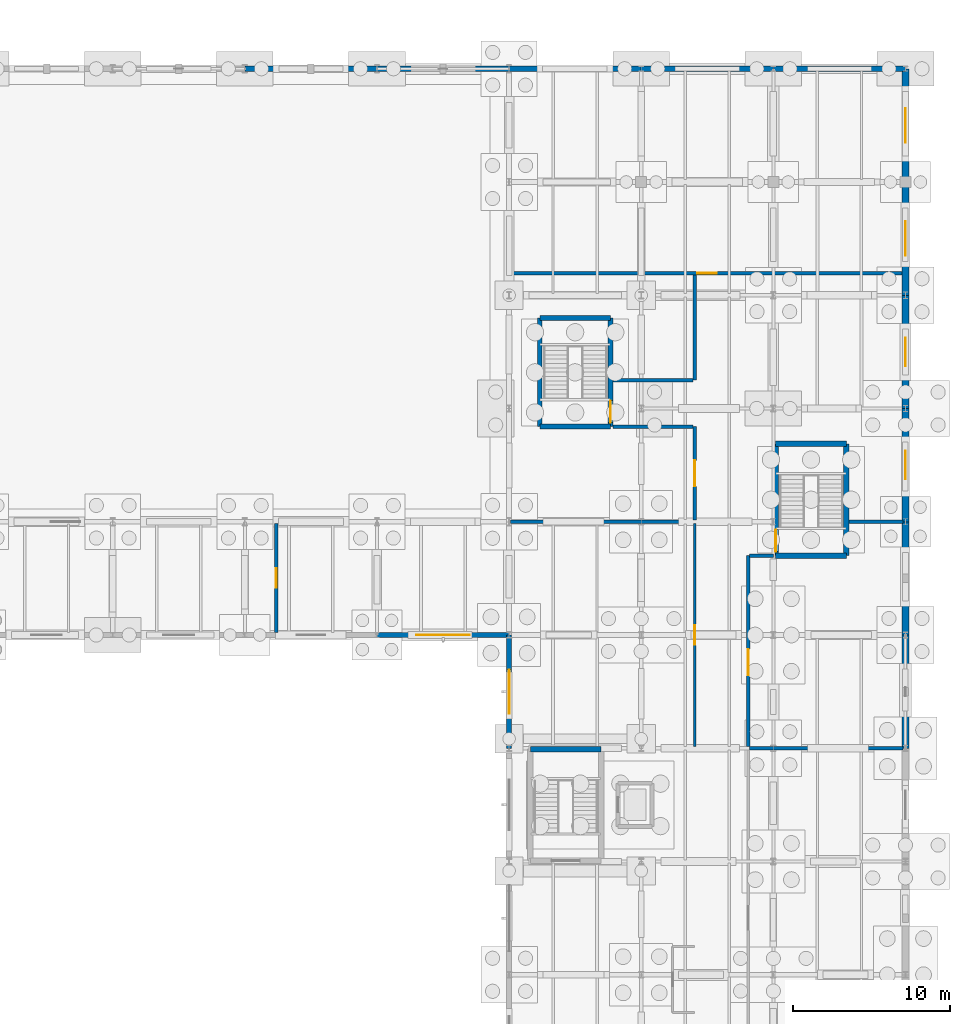
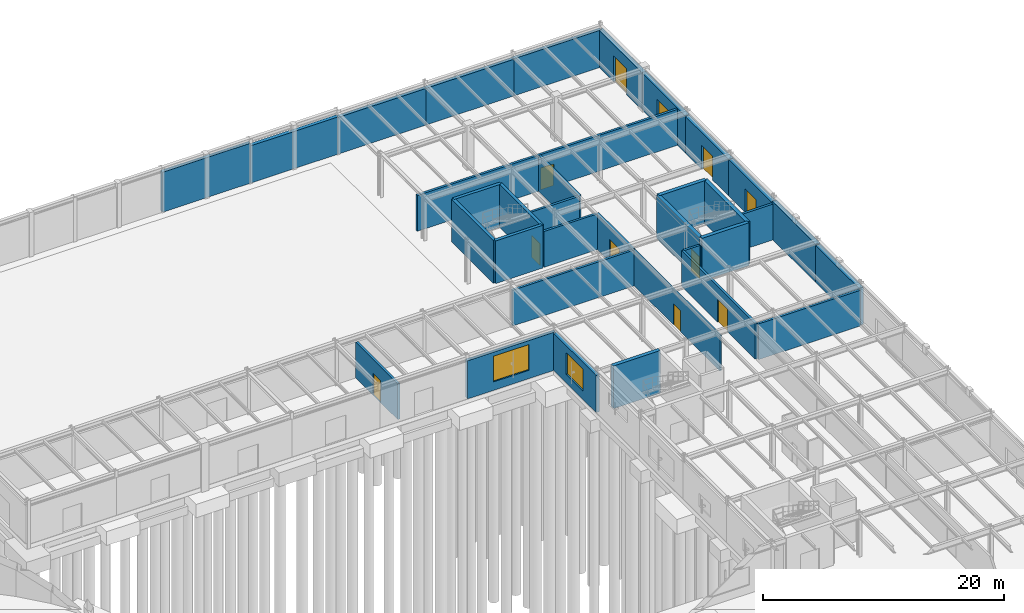
# One storey, part 65 of 93: 34 walls, 11 doors, 2 windows, 13 openings.
"""IFC4 building model written with IfcOpenShell, lengths in metres."""

import ifcopenshell
import ifcopenshell.guid

model = None  # the IFC model being written
_history = None  # IfcOwnerHistory: only IFC2X3 demands one
_inside = {}  # id of a spatial element -> (the spatial element, [elements in it])
_under = {}  # id of a project, library or spatial element -> (it, [spatial elements below it])
_declared = {}  # id of a project -> (the project, [libraries it declares])
_typed = {}  # id of a type object -> (the type object, [elements of that type])
_made_of = {}  # id of a material, layer set ... -> (it, [elements and type objects made of it])


def new_model(schema):
    """Start an empty IFC model of exactly this schema.

    Asked for "IFC4X3", IfcOpenShell would pick the latest addendum, in which some entities
    have other attributes; the version numbers below select the first issue.
    IFC2X3 requires an IfcOwnerHistory on every rooted entity: one is made here for all.
    """
    global model, _history
    if schema == "IFC4X3":
        model = ifcopenshell.file(schema_version=(4, 3, 0, 0))
    else:
        model = ifcopenshell.file(schema=schema)
    _inside.clear()
    _under.clear()
    _declared.clear()
    _typed.clear()
    _made_of.clear()
    _history = None
    if model.schema == "IFC2X3":
        org = make("IfcOrganization", Name="unknown")
        user = make(
            "IfcPersonAndOrganization",
            ThePerson=make("IfcPerson", FamilyName="unknown"),
            TheOrganization=org,
        )
        app = make(
            "IfcApplication",
            ApplicationDeveloper=org,
            Version="unknown",
            ApplicationFullName="unknown",
            ApplicationIdentifier="unknown",
        )
        _history = make(
            "IfcOwnerHistory",
            OwningUser=user,
            OwningApplication=app,
            ChangeAction="ADDED",
            CreationDate=0,
        )
    return model


def make(cls, **values):
    """One entity of the class cls with the attributes given. An attribute that is None is left unset."""
    return model.create_entity(
        cls, **{name: value for name, value in values.items() if value is not None}
    )


def rooted(cls, **values):
    """An entity with a GlobalId (a new one), such as an element, a storey or a relation."""
    return make(cls, GlobalId=ifcopenshell.guid.new(), OwnerHistory=_history, **values)


def si_unit(unit_type, name, prefix=None):
    """IfcSIUnit, for example si_unit("LENGTHUNIT", "METRE", prefix="MILLI")."""
    return make("IfcSIUnit", UnitType=unit_type, Prefix=prefix, Name=name)


def derived_unit(unit_type, elements):
    """IfcDerivedUnit: a product of units, each with its exponent."""
    return make(
        "IfcDerivedUnit",
        Elements=[
            make("IfcDerivedUnitElement", Unit=unit, Exponent=power)
            for unit, power in elements
        ],
        UnitType=unit_type,
    )


def assignment(units):
    """IfcUnitAssignment: the units of a project."""
    return None if units is None else make("IfcUnitAssignment", Units=units)


def point(xyz):
    """IfcCartesianPoint."""
    return None if xyz is None else make("IfcCartesianPoint", Coordinates=xyz)


def direction(xyz):
    """IfcDirection."""
    return None if xyz is None else make("IfcDirection", DirectionRatios=xyz)


def frame(location, z_axis=None, x_axis=None):
    """IfcAxis2Placement3D, a coordinate frame: its origin and axes. An axis left out is left unset."""
    return make(
        "IfcAxis2Placement3D",
        Location=point(location),
        Axis=direction(z_axis),
        RefDirection=direction(x_axis),
    )


def frame_2d(location, x_axis=None):
    """IfcAxis2Placement2D, a coordinate frame in the plane: its origin and x axis."""
    return make(
        "IfcAxis2Placement2D", Location=point(location), RefDirection=direction(x_axis)
    )


def origin():
    """The frame at (0, 0, 0) with its axes left unset."""
    return frame((0.0, 0.0, 0.0))


def place(relative_to, where):
    """IfcLocalPlacement: puts the frame where relative to a parent placement (None: the world)."""
    return make(
        "IfcLocalPlacement", PlacementRelTo=relative_to, RelativePlacement=where
    )


def context(
    kind, dimensions, precision=None, world=None, true_north=None, identifier=None
):
    """IfcGeometricRepresentationContext, for example the 3D "Model" context."""
    return make(
        "IfcGeometricRepresentationContext",
        ContextIdentifier=identifier,
        ContextType=kind,
        CoordinateSpaceDimension=dimensions,
        Precision=precision,
        WorldCoordinateSystem=world,
        TrueNorth=true_north,
    )


def subcontext(parent, identifier, kind, view, scale=None):
    """IfcGeometricRepresentationSubContext, for example "Body" below "Model"."""
    return make(
        "IfcGeometricRepresentationSubContext",
        ContextIdentifier=identifier,
        ContextType=kind,
        ParentContext=parent,
        TargetScale=scale,
        TargetView=view,
    )


def project(units=None, contexts=None):
    """IfcProject with its units and contexts."""
    return rooted(
        "IfcProject",
        Name="project",
        RepresentationContexts=contexts,
        UnitsInContext=assignment(units),
    )


def spatial(cls, under=None, at=None, **own):
    """A site, building, storey or space (cls), placed at a placement, below another one or the project."""
    s = rooted(cls, ObjectPlacement=at, **own)
    if under is not None:
        _under.setdefault(under.id(), (under, []))[1].append(s)
    return s


def profile(cls, at=None, kind="AREA", **sizes):
    """A parametric profile (cls). Its sizes go by their IFC names, for example OverallWidth=200.0."""
    return make(cls, ProfileType=kind, Position=at, **sizes)


def rectangle(**sizes):
    """IfcRectangleProfileDef."""
    return profile("IfcRectangleProfileDef", **sizes)


def extrude(swept, where, along, depth):
    """IfcExtrudedAreaSolid: the profile swept, set in the frame where, extruded along a direction by depth."""
    return make(
        "IfcExtrudedAreaSolid",
        SweptArea=swept,
        Position=where,
        ExtrudedDirection=direction(along),
        Depth=depth,
    )


def shape(context_of_items, identifier, shape_type, items):
    """IfcShapeRepresentation: the items that make up one representation, for example the "Body"."""
    return make(
        "IfcShapeRepresentation",
        ContextOfItems=context_of_items,
        RepresentationIdentifier=identifier,
        RepresentationType=shape_type,
        Items=items,
    )


def material(Name=None, Category=None):
    """IfcMaterial."""
    return make("IfcMaterial", Name=Name, Category=Category)


def layer(
    of_material, thickness, ventilated=None, Name=None, Category=None, Priority=None
):
    """IfcMaterialLayer: one layer of a wall or slab, of a material (None: an air gap)."""
    return make(
        "IfcMaterialLayer",
        Material=of_material,
        LayerThickness=thickness,
        IsVentilated=ventilated,
        Name=Name,
        Category=Category,
        Priority=Priority,
    )


def layer_set(layers, Name=None):
    """IfcMaterialLayerSet."""
    return make("IfcMaterialLayerSet", MaterialLayers=layers, LayerSetName=Name)


def made_of(thing, what):
    """Note that an element or type object is made of a material, layer set ...; save() writes the relation."""
    if what is not None:
        _made_of.setdefault(what.id(), (what, []))[1].append(thing)
    return thing


def type_object(cls, material=None, **own):
    """A type object (cls), such as IfcWallType, which elements share."""
    return made_of(rooted(cls, **own), material)


def element(
    cls,
    number,
    at=None,
    inside=None,
    cuts=None,
    type_object=None,
    material=None,
    context=None,
    identifier="Body",
    shape_type=None,
    held_by="IfcProductDefinitionShape",
    body=None,
    shapes=None,
    **own,
):
    """One element of the class cls, such as IfcWall. Its Tag is "e" and its number.

    at: its placement. inside: the storey or other place that contains it. cuts: it is an
    opening in that element (IfcRelVoidsElement). A single representation is given by context,
    identifier, shape_type and body (its items); several are given by shapes. held_by: the class
    of the entity that holds the representations. save() writes the other relations.
    """
    e = rooted(cls, Tag="e%d" % number, ObjectPlacement=at, **own)
    if body is not None:
        shapes = [shape(context, identifier, shape_type, body)]
    if shapes is not None:
        e.Representation = make(held_by, Representations=shapes)
    if inside is not None:
        _inside.setdefault(inside.id(), (inside, []))[1].append(e)
    if cuts is not None:
        rooted(
            "IfcRelVoidsElement", RelatingBuildingElement=cuts, RelatedOpeningElement=e
        )
    if type_object is not None:
        _typed.setdefault(type_object.id(), (type_object, []))[1].append(e)
    return made_of(e, material)


def fill(opening, filler):
    """IfcRelFillsElement: the door or window that sits in an opening."""
    return rooted(
        "IfcRelFillsElement",
        RelatingOpeningElement=opening,
        RelatedBuildingElement=filler,
    )


def aggregate(whole, parts):
    """IfcRelAggregates: a whole, such as a stair, and the parts it consists of."""
    return rooted("IfcRelAggregates", RelatingObject=whole, RelatedObjects=parts)


def save(model, path):
    """Write the relations noted so far, then the file.

    IfcRelAggregates (storeys below a building ...), IfcRelContainedInSpatialStructure (elements
    in a storey), IfcRelDefinesByType, IfcRelAssociatesMaterial and IfcRelDeclares: one each for
    every whole, place, type object, material and project.
    """
    for whole, parts in _under.values():
        aggregate(whole, parts)
    for where, things in _inside.values():
        rooted(
            "IfcRelContainedInSpatialStructure",
            RelatedElements=things,
            RelatingStructure=where,
        )
    for kind, things in _typed.values():
        rooted("IfcRelDefinesByType", RelatedObjects=things, RelatingType=kind)
    for what, things in _made_of.values():
        rooted("IfcRelAssociatesMaterial", RelatedObjects=things, RelatingMaterial=what)
    for by, libraries in _declared.values():
        rooted("IfcRelDeclares", RelatingContext=by, RelatedDefinitions=libraries)
    model.write(path)


model = new_model("IFC4")

# Units and contexts
model_context = context("Model", 3, precision=1e-05, world=origin(), true_north=direction((0.0, 1.0)))
body_context = subcontext(model_context, "Body", "Model", "MODEL_VIEW")
ifc_project = project(units=[si_unit("LENGTHUNIT", "METRE"), si_unit("AREAUNIT", "SQUARE_METRE"), si_unit("VOLUMEUNIT", "CUBIC_METRE"), si_unit("PLANEANGLEUNIT", "RADIAN"), si_unit("MASSUNIT", "GRAM", prefix="KILO"), derived_unit("THERMALTRANSMITTANCEUNIT", [(si_unit("MASSUNIT", "GRAM", prefix="KILO"), 1), (si_unit("TIMEUNIT", "SECOND"), -3), (si_unit("THERMODYNAMICTEMPERATUREUNIT", "KELVIN"), -1)])], contexts=[model_context])

# Site, building, storey
site_placement = place(None, origin())
site = spatial("IfcSite", under=ifc_project, at=site_placement, CompositionType="ELEMENT")
building_placement = place(site_placement, origin())
building = spatial("IfcBuilding", under=site, at=building_placement, Name="Kharveza Railside Sports Centre", CompositionType="ELEMENT")
storey_placement = place(building_placement, origin())
storey = spatial("IfcBuildingStorey", under=building, at=storey_placement, Name="L00", CompositionType="ELEMENT", Elevation=0.0)

# Walls
ifc_material_1 = material(Name="Acoustic mineral-wool metal cladding panel")
ifc_layer_1 = layer(ifc_material_1, 0.340087890625, Name="Acoustic mineral-wool metal cladding panel")
ifc_layer_set_1 = layer_set([ifc_layer_1], Name="Acoustic mineral-wool metal cladding panel")
wall_type_1 = type_object("IfcWallType", Name="WL-AC340", PredefinedType="STANDARD", material=ifc_layer_set_1)
wall_1_placement = place(storey_placement, frame((168.0, 108.0, 0.0), z_axis=(0.0, 0.0, 1.0), x_axis=(-1.0, 0.0, 0.0)))
element("IfcWall", 1, at=wall_1_placement, inside=storey, type_object=wall_type_1, Name="WL-EXT-L00-029", PredefinedType="STANDARD", context=body_context, shape_type="SweptSolid", body=[
    extrude(rectangle(XDim=8.39990234375, YDim=0.340087890625, at=frame_2d((4.199951171875, 0.0))), origin(), (0.0, 0.0, 1.0), 3.7548828125),
])
wall_2_placement = place(storey_placement, frame((159.60009765625, 108.0, 0.0), z_axis=(0.0, 0.0, 1.0), x_axis=(-1.0, 0.0, 0.0)))
element("IfcWall", 2, at=wall_2_placement, inside=storey, type_object=wall_type_1, Name="WL-EXT-L00-030", PredefinedType="STANDARD", context=body_context, shape_type="SweptSolid", body=[
    extrude(rectangle(XDim=8.400146484375, YDim=0.340087890625, at=frame_2d((4.2001953125, 0.0))), origin(), (0.0, 0.0, 1.0), 3.705078125),
])
wall_3_placement = place(storey_placement, frame((151.199951171875, 108.0, 0.0), z_axis=(0.0, 0.0, 1.0), x_axis=(-1.0, 0.0, 0.0)))
element("IfcWall", 3, at=wall_3_placement, inside=storey, type_object=wall_type_1, Name="WL-EXT-L00-031", PredefinedType="STANDARD", context=body_context, shape_type="SweptSolid", body=[
    extrude(rectangle(XDim=8.39990234375, YDim=0.340087890625, at=frame_2d((4.199951171875, 0.0))), origin(), (0.0, 0.0, 1.0), 3.705078125),
])
wall_4_placement = place(storey_placement, frame((142.800048828125, 108.0, 0.0), z_axis=(0.0, 0.0, 1.0), x_axis=(-1.0, 0.0, 0.0)))
element("IfcWall", 4, at=wall_4_placement, inside=storey, type_object=wall_type_1, Name="WL-EXT-L00-032", PredefinedType="STANDARD", context=body_context, shape_type="SweptSolid", body=[
    extrude(rectangle(XDim=8.400146484375, YDim=0.340087890625, at=frame_2d((4.2001953125, 0.0))), origin(), (0.0, 0.0, 1.0), 3.764892578125),
])
wall_5_placement = place(storey_placement, frame((134.39990234375, 108.0, 0.0), z_axis=(0.0, 0.0, 1.0), x_axis=(-1.0, 0.0, 0.0)))
element("IfcWall", 5, at=wall_5_placement, inside=storey, type_object=wall_type_1, Name="WL-EXT-L00-033", PredefinedType="STANDARD", context=body_context, shape_type="SweptSolid", body=[
    extrude(rectangle(XDim=8.39990234375, YDim=0.340087890625, at=frame_2d((4.199951171875, 0.0))), origin(), (0.0, 0.0, 1.0), 4.044921875),
])
ifc_material_2 = material(Name="Precast concrete C40/50", Category="concrete")
ifc_layer_2 = layer(ifc_material_2, 0.419921875, Name="Precast concrete C40/50")
ifc_layer_set_2 = layer_set([ifc_layer_2], Name="Precast concrete C40/50")
wall_type_2 = type_object("IfcWallType", Name="WL-BM420", PredefinedType="SOLIDWALL", material=ifc_layer_set_2)
wall_6_placement = place(storey_placement, frame((168.0, 64.800048828125, 0.0), z_axis=(0.0, 0.0, 1.0), x_axis=(0.0, 1.0, 0.0)))
element("IfcWall", 6, at=wall_6_placement, inside=storey, type_object=wall_type_2, Name="WL-EXT-L00-023", PredefinedType="SOLIDWALL", context=body_context, shape_type="SweptSolid", body=[
    extrude(rectangle(XDim=7.199951171875, YDim=0.419921875, at=frame_2d((3.60009765625, 0.0))), origin(), (0.0, 0.0, 1.0), 3.7548828125),
])
wall_7_placement = place(storey_placement, frame((168.0, 72.0, 0.0), z_axis=(0.0, 0.0, 1.0), x_axis=(0.0, 1.0, 0.0)))
element("IfcWall", 7, at=wall_7_placement, inside=storey, type_object=wall_type_2, Name="WL-EXT-L00-024", PredefinedType="SOLIDWALL", context=body_context, shape_type="SweptSolid", body=[
    extrude(rectangle(XDim=7.199951171875, YDim=0.419921875, at=frame_2d((3.60009765625, 0.0))), origin(), (0.0, 0.0, 1.0), 3.85498046875),
])

# Wall, opening, door
wall_8_placement = place(storey_placement, frame((168.0, 79.199951171875, 0.0), z_axis=(0.0, 0.0, 1.0), x_axis=(0.0, 1.0, 0.0)))
wall_8 = element("IfcWall", 8, at=wall_8_placement, inside=storey, type_object=wall_type_2, Name="WL-EXT-L00-025", PredefinedType="SOLIDWALL", context=body_context, shape_type="SweptSolid", body=[
    extrude(rectangle(XDim=7.199951171875, YDim=0.419921875, at=frame_2d((3.60009765625, 0.0))), origin(), (0.0, 0.0, 1.0), 3.705078125),
])
opening_1_placement = place(wall_8_placement, frame((2.699951171875, 0.0, 0.0)))
opening_1 = element("IfcOpeningElement", 9, at=opening_1_placement, cuts=wall_8, Name="Opening D03", PredefinedType="OPENING", context=body_context, shape_type="SweptSolid", body=[
    extrude(rectangle(XDim=1.800048828125, YDim=2.39990234375, at=frame_2d((0.89990234375, 1.199951171875))), frame((0.0, 0.23486328125, 0.0), z_axis=(0.0, -1.0, 0.0), x_axis=(1.0, 0.0, 0.0)), (0.0, 0.0, 1.0), 0.4697265625),
])
ifc_material_3 = material(Name="Anodised aluminium 6063-T6", Category="aluminium")
door_type_1 = type_object("IfcDoorType", Name="DR-EX03", OperationType="NOTDEFINED", PredefinedType="DOOR", material=ifc_material_3)
door_1_placement = place(opening_1_placement, frame((1.800048828125, 0.0, 0.0), z_axis=(0.0, 0.0, 1.0), x_axis=(-1.0, 0.0, 0.0)))
door_1 = element("IfcDoor", 10, at=door_1_placement, inside=storey, type_object=door_type_1, Name="DR-L00-EX-011", OperationType="DOUBLE_DOOR_SINGLE_SWING", OverallHeight=2.39990234375, OverallWidth=1.800048828125, PredefinedType="DOOR", context=body_context, shape_type="SweptSolid", body=[
    extrude(rectangle(XDim=1.800048828125, YDim=2.39990234375, at=frame_2d((0.89990234375, 1.199951171875))), frame((0.0, 0.02490234375, 0.0), z_axis=(0.0, -1.0, 0.0), x_axis=(1.0, 0.0, 0.0)), (0.0, 0.0, 1.0), 0.050048828125),
])
fill(opening_1, door_1)

wall_9_placement = place(storey_placement, frame((168.0, 86.39990234375, 0.0), z_axis=(0.0, 0.0, 1.0), x_axis=(0.0, 1.0, 0.0)))
wall_9 = element("IfcWall", 11, at=wall_9_placement, inside=storey, type_object=wall_type_2, Name="WL-EXT-L00-026", PredefinedType="SOLIDWALL", context=body_context, shape_type="SweptSolid", body=[
    extrude(rectangle(XDim=7.2001953125, YDim=0.419921875, at=frame_2d((3.60009765625, 0.0))), origin(), (0.0, 0.0, 1.0), 3.705078125),
])
opening_2_placement = place(wall_9_placement, frame((2.699951171875, 0.0, 0.0)))
opening_2 = element("IfcOpeningElement", 12, at=opening_2_placement, cuts=wall_9, Name="Opening D03", PredefinedType="OPENING", context=body_context, shape_type="SweptSolid", body=[
    extrude(rectangle(XDim=1.800048828125, YDim=2.39990234375, at=frame_2d((0.89990234375, 1.199951171875))), frame((0.0, 0.23486328125, 0.0), z_axis=(0.0, -1.0, 0.0), x_axis=(1.0, 0.0, 0.0)), (0.0, 0.0, 1.0), 0.4697265625),
])
door_2_placement = place(opening_2_placement, frame((1.800048828125, 0.0, 0.0), z_axis=(0.0, 0.0, 1.0), x_axis=(-1.0, 0.0, 0.0)))
door_2 = element("IfcDoor", 13, at=door_2_placement, inside=storey, type_object=door_type_1, Name="DR-L00-EX-012", OperationType="DOUBLE_DOOR_SINGLE_SWING", OverallHeight=2.39990234375, OverallWidth=1.800048828125, PredefinedType="DOOR", context=body_context, shape_type="SweptSolid", body=[
    extrude(rectangle(XDim=1.800048828125, YDim=2.39990234375, at=frame_2d((0.89990234375, 1.199951171875))), frame((0.0, 0.02490234375, 0.0), z_axis=(0.0, -1.0, 0.0), x_axis=(1.0, 0.0, 0.0)), (0.0, 0.0, 1.0), 0.050048828125),
])
fill(opening_2, door_2)

wall_10_placement = place(storey_placement, frame((168.0, 93.60009765625, 0.0), z_axis=(0.0, 0.0, 1.0), x_axis=(0.0, 1.0, 0.0)))
wall_10 = element("IfcWall", 14, at=wall_10_placement, inside=storey, type_object=wall_type_2, Name="WL-EXT-L00-027", PredefinedType="SOLIDWALL", context=body_context, shape_type="SweptSolid", body=[
    extrude(rectangle(XDim=7.199951171875, YDim=0.419921875, at=frame_2d((3.60009765625, 0.0))), origin(), (0.0, 0.0, 1.0), 3.7548828125),
])
opening_3_placement = place(wall_10_placement, frame((2.5, 0.0, 0.0)))
opening_3 = element("IfcOpeningElement", 15, at=opening_3_placement, cuts=wall_10, Name="Opening D06", PredefinedType="OPENING", context=body_context, shape_type="SweptSolid", body=[
    extrude(rectangle(XDim=2.199951171875, YDim=2.60009765625, at=frame_2d((1.10009765625, 1.300048828125))), frame((0.0, 0.23486328125, 0.0), z_axis=(0.0, -1.0, 0.0), x_axis=(1.0, 0.0, 0.0)), (0.0, 0.0, 1.0), 0.4697265625),
])
door_type_2 = type_object("IfcDoorType", Name="DR-EX06", OperationType="NOTDEFINED", PredefinedType="DOOR", material=ifc_material_3)
door_3_placement = place(opening_3_placement, frame((2.199951171875, 0.0, 0.0), z_axis=(0.0, 0.0, 1.0), x_axis=(-1.0, 0.0, 0.0)))
door_3 = element("IfcDoor", 16, at=door_3_placement, inside=storey, type_object=door_type_2, Name="DR-L00-EX-013", OperationType="DOUBLE_DOOR_SINGLE_SWING", OverallHeight=2.60009765625, OverallWidth=2.199951171875, PredefinedType="DOOR", context=body_context, shape_type="SweptSolid", body=[
    extrude(rectangle(XDim=2.199951171875, YDim=2.60009765625, at=frame_2d((1.10009765625, 1.300048828125))), frame((0.0, 0.02490234375, 0.0), z_axis=(0.0, -1.0, 0.0), x_axis=(1.0, 0.0, 0.0)), (0.0, 0.0, 1.0), 0.050048828125),
])
fill(opening_3, door_3)

wall_11_placement = place(storey_placement, frame((168.0, 100.800048828125, 0.0), z_axis=(0.0, 0.0, 1.0), x_axis=(0.0, 1.0, 0.0)))
wall_11 = element("IfcWall", 17, at=wall_11_placement, inside=storey, type_object=wall_type_2, Name="WL-EXT-L00-028", PredefinedType="SOLIDWALL", context=body_context, shape_type="SweptSolid", body=[
    extrude(rectangle(XDim=7.199951171875, YDim=0.419921875, at=frame_2d((3.60009765625, 0.0))), origin(), (0.0, 0.0, 1.0), 3.7548828125),
])
opening_4_placement = place(wall_11_placement, frame((2.5, 0.0, 0.0)))
opening_4 = element("IfcOpeningElement", 18, at=opening_4_placement, cuts=wall_11, Name="Opening D06", PredefinedType="OPENING", context=body_context, shape_type="SweptSolid", body=[
    extrude(rectangle(XDim=2.199951171875, YDim=2.60009765625, at=frame_2d((1.10009765625, 1.300048828125))), frame((0.0, 0.23486328125, 0.0), z_axis=(0.0, -1.0, 0.0), x_axis=(1.0, 0.0, 0.0)), (0.0, 0.0, 1.0), 0.4697265625),
])
door_4_placement = place(opening_4_placement, frame((2.199951171875, 0.0, 0.0), z_axis=(0.0, 0.0, 1.0), x_axis=(-1.0, 0.0, 0.0)))
door_4 = element("IfcDoor", 19, at=door_4_placement, inside=storey, type_object=door_type_2, Name="DR-L00-EX-014", OperationType="DOUBLE_DOOR_SINGLE_SWING", OverallHeight=2.60009765625, OverallWidth=2.199951171875, PredefinedType="DOOR", context=body_context, shape_type="SweptSolid", body=[
    extrude(rectangle(XDim=2.199951171875, YDim=2.60009765625, at=frame_2d((1.10009765625, 1.300048828125))), frame((0.0, 0.02490234375, 0.0), z_axis=(0.0, -1.0, 0.0), x_axis=(1.0, 0.0, 0.0)), (0.0, 0.0, 1.0), 0.050048828125),
])
fill(opening_4, door_4)

# Wall
ifc_material_4 = material(Name="Concrete C35/45", Category="concrete")
ifc_layer_3 = layer(ifc_material_4, 0.300048828125, Name="Concrete C35/45")
ifc_layer_set_3 = layer_set([ifc_layer_3], Name="Concrete C35/45")
wall_type_3 = type_object("IfcWallType", Name="WL-CR300", PredefinedType="SHEAR", material=ifc_layer_set_3)
wall_12_placement = place(storey_placement, frame((144.75, 85.25, 0.0), z_axis=(0.0, 0.0, 1.0), x_axis=(1.0, 0.0, 0.0)))
element("IfcWall", 20, at=wall_12_placement, inside=storey, type_object=wall_type_3, Name="WL-CORE-ST13-L00-S", PredefinedType="SHEAR", context=body_context, shape_type="SweptSolid", body=[
    extrude(rectangle(XDim=4.5, YDim=0.300048828125, at=frame_2d((2.25, 0.0))), origin(), (0.0, 0.0, 1.0), 4.320068359375),
])

# Wall, opening, door
wall_13_placement = place(storey_placement, frame((149.25, 85.25, 0.0), z_axis=(0.0, 0.0, 1.0), x_axis=(0.0, 1.0, 0.0)))
wall_13 = element("IfcWall", 21, at=wall_13_placement, inside=storey, type_object=wall_type_3, Name="WL-CORE-ST13-L00-E", PredefinedType="SHEAR", context=body_context, shape_type="SweptSolid", body=[
    extrude(rectangle(XDim=6.89990234375, YDim=0.300048828125, at=frame_2d((3.449951171875, 0.0))), origin(), (0.0, 0.0, 1.0), 4.320068359375),
])
opening_5_placement = place(wall_13_placement, frame((0.25, 0.0, 0.0)))
opening_5 = element("IfcOpeningElement", 22, at=opening_5_placement, cuts=wall_13, Name="Opening D09", PredefinedType="OPENING", context=body_context, shape_type="SweptSolid", body=[
    extrude(rectangle(XDim=1.39990234375, YDim=2.199951171875, at=frame_2d((0.699951171875, 1.10009765625))), frame((0.0, 0.1748046875, 0.0), z_axis=(0.0, -1.0, 0.0), x_axis=(1.0, 0.0, 0.0)), (0.0, 0.0, 1.0), 0.349853515625),
])
ifc_material_5 = material(Name="Fire-rated hardwood door leaf", Category="wood")
door_type_3 = type_object("IfcDoorType", Name="DR-ST02", OperationType="NOTDEFINED", PredefinedType="DOOR", material=ifc_material_5)
door_5_placement = place(opening_5_placement, frame((1.39990234375, 0.0, 0.0), z_axis=(0.0, 0.0, 1.0), x_axis=(-1.0, 0.0, 0.0)))
door_5 = element("IfcDoor", 23, at=door_5_placement, inside=storey, type_object=door_type_3, Name="DR-ST-ST13-L00", OperationType="SINGLE_SWING_LEFT", OverallHeight=2.199951171875, OverallWidth=1.39990234375, PredefinedType="DOOR", context=body_context, shape_type="SweptSolid", body=[
    extrude(rectangle(XDim=1.39990234375, YDim=2.199951171875, at=frame_2d((0.699951171875, 1.10009765625))), frame((0.0, 0.02490234375, 0.0), z_axis=(0.0, -1.0, 0.0), x_axis=(1.0, 0.0, 0.0)), (0.0, 0.0, 1.0), 0.050048828125),
])
fill(opening_5, door_5)

# Walls
wall_14_placement = place(storey_placement, frame((149.25, 92.14990234375, 0.0), z_axis=(0.0, 0.0, 1.0), x_axis=(-1.0, 0.0, 0.0)))
element("IfcWall", 24, at=wall_14_placement, inside=storey, type_object=wall_type_3, Name="WL-CORE-ST13-L00-N", PredefinedType="SHEAR", context=body_context, shape_type="SweptSolid", body=[
    extrude(rectangle(XDim=4.5, YDim=0.300048828125, at=frame_2d((2.25, 0.0))), origin(), (0.0, 0.0, 1.0), 4.320068359375),
])
wall_15_placement = place(storey_placement, frame((144.75, 92.14990234375, 0.0), z_axis=(0.0, 0.0, 1.0), x_axis=(0.0, -1.0, 0.0)))
element("IfcWall", 25, at=wall_15_placement, inside=storey, type_object=wall_type_3, Name="WL-CORE-ST13-L00-W", PredefinedType="SHEAR", context=body_context, shape_type="SweptSolid", body=[
    extrude(rectangle(XDim=6.89990234375, YDim=0.300048828125, at=frame_2d((3.449951171875, 0.0))), origin(), (0.0, 0.0, 1.0), 4.320068359375),
])
ifc_layer_4 = layer(ifc_material_4, 0.35009765625, Name="Concrete C35/45")
ifc_layer_set_4 = layer_set([ifc_layer_4], Name="Concrete C35/45")
wall_type_4 = type_object("IfcWallType", Name="WL-CR350", PredefinedType="SHEAR", material=ifc_layer_set_4)
for number, where, z_axis, x_axis, name in (
    (26, (148.64990234375, 64.75, 0.0), (0.0, 0.0, 1.0), (-1.0, 0.0, 0.0), "WL-CORE-ST2-L00-N"),
    (27, (159.75, 77.050048828125, 0.0), (0.0, 0.0, 1.0), (1.0, 0.0, 0.0), "WL-CORE-ST4-L00-S"),
):
    element("IfcWall", number, at=place(storey_placement, frame(where, z_axis=z_axis, x_axis=x_axis)), inside=storey, type_object=wall_type_4, Name=name, PredefinedType="SHEAR", context=body_context, shape_type="SweptSolid", body=[
        extrude(rectangle(XDim=4.5, YDim=0.35009765625, at=frame_2d((2.25, 0.0))), origin(), (0.0, 0.0, 1.0), 4.320068359375),
    ])
wall_16_placement = place(storey_placement, frame((164.25, 77.050048828125, 0.0), z_axis=(0.0, 0.0, 1.0), x_axis=(0.0, 1.0, 0.0)))
element("IfcWall", 28, at=wall_16_placement, inside=storey, type_object=wall_type_4, Name="WL-CORE-ST4-L00-E", PredefinedType="SHEAR", context=body_context, shape_type="SweptSolid", body=[
    extrude(rectangle(XDim=7.099853515625, YDim=0.35009765625, at=frame_2d((3.5498046875, 0.0))), origin(), (0.0, 0.0, 1.0), 4.320068359375),
])
wall_17_placement = place(storey_placement, frame((164.25, 84.14990234375, 0.0), z_axis=(0.0, 0.0, 1.0), x_axis=(-1.0, 0.0, 0.0)))
element("IfcWall", 29, at=wall_17_placement, inside=storey, type_object=wall_type_4, Name="WL-CORE-ST4-L00-N", PredefinedType="SHEAR", context=body_context, shape_type="SweptSolid", body=[
    extrude(rectangle(XDim=4.5, YDim=0.35009765625, at=frame_2d((2.25, 0.0))), origin(), (0.0, 0.0, 1.0), 4.320068359375),
])

# Wall, opening, door
wall_18_placement = place(storey_placement, frame((159.75, 84.14990234375, 0.0), z_axis=(0.0, 0.0, 1.0), x_axis=(0.0, -1.0, 0.0)))
wall_18 = element("IfcWall", 30, at=wall_18_placement, inside=storey, type_object=wall_type_4, Name="WL-CORE-ST4-L00-W", PredefinedType="SHEAR", context=body_context, shape_type="SweptSolid", body=[
    extrude(rectangle(XDim=7.099853515625, YDim=0.35009765625, at=frame_2d((3.5498046875, 0.0))), origin(), (0.0, 0.0, 1.0), 4.320068359375),
])
opening_6_placement = place(wall_18_placement, frame((5.449951171875, 0.0, 0.0)))
opening_6 = element("IfcOpeningElement", 31, at=opening_6_placement, cuts=wall_18, Name="Opening D09", PredefinedType="OPENING", context=body_context, shape_type="SweptSolid", body=[
    extrude(rectangle(XDim=1.39990234375, YDim=2.199951171875, at=frame_2d((0.699951171875, 1.10009765625))), frame((0.0, 0.199951171875, 0.0), z_axis=(0.0, -1.0, 0.0), x_axis=(1.0, 0.0, 0.0)), (0.0, 0.0, 1.0), 0.39990234375),
])
door_6_placement = place(opening_6_placement, frame((1.39990234375, 0.0, 0.0), z_axis=(0.0, 0.0, 1.0), x_axis=(-1.0, 0.0, 0.0)))
door_6 = element("IfcDoor", 32, at=door_6_placement, inside=storey, type_object=door_type_3, Name="DR-ST-ST4-L00", OperationType="SINGLE_SWING_RIGHT", OverallHeight=2.199951171875, OverallWidth=1.39990234375, PredefinedType="DOOR", context=body_context, shape_type="SweptSolid", body=[
    extrude(rectangle(XDim=1.39990234375, YDim=2.199951171875, at=frame_2d((0.699951171875, 1.10009765625))), frame((0.0, 0.02490234375, 0.0), z_axis=(0.0, -1.0, 0.0), x_axis=(1.0, 0.0, 0.0)), (0.0, 0.0, 1.0), 0.050048828125),
])
fill(opening_6, door_6)

# Wall, opening, window
ifc_layer_5 = layer(ifc_material_2, 0.320068359375, Name="Precast concrete C40/50")
ifc_layer_set_5 = layer_set([ifc_layer_5], Name="Precast concrete C40/50")
wall_type_5 = type_object("IfcWallType", Name="WL-EX320", PredefinedType="STANDARD", material=ifc_layer_set_5)
wall_19_placement = place(storey_placement, frame((134.39990234375, 72.0, 0.0), z_axis=(0.0, 0.0, 1.0), x_axis=(1.0, 0.0, 0.0)))
wall_19 = element("IfcWall", 33, at=wall_19_placement, inside=storey, type_object=wall_type_5, Name="WL-EXT-L00-048", PredefinedType="STANDARD", context=body_context, shape_type="SweptSolid", body=[
    extrude(rectangle(XDim=8.400146484375, YDim=0.320068359375, at=frame_2d((4.2001953125, 0.0))), origin(), (0.0, 0.0, 1.0), 3.85498046875),
])
opening_7_placement = place(wall_19_placement, frame((2.5, 0.0, 0.85009765625)))
opening_7 = element("IfcOpeningElement", 34, at=opening_7_placement, cuts=wall_19, Name="Opening WN13", PredefinedType="OPENING", context=body_context, shape_type="SweptSolid", body=[
    extrude(rectangle(XDim=3.39990234375, YDim=2.60009765625, at=frame_2d((1.699951171875, 1.300048828125))), frame((0.0, 0.18505859375, 0.0), z_axis=(0.0, -1.0, 0.0), x_axis=(1.0, 0.0, 0.0)), (0.0, 0.0, 1.0), 0.369873046875),
])
ifc_material_6 = material(Name="Low-E solar-control laminated glass", Category="glass")
window_type_1 = type_object("IfcWindowType", Name="WN-F13", PartitioningType="SINGLE_PANEL", PredefinedType="WINDOW", material=ifc_material_6)
window_1_placement = place(opening_7_placement, origin())
window_1 = element("IfcWindow", 35, at=window_1_placement, inside=storey, type_object=window_type_1, Name="WN-EXT-L00-002", OverallHeight=2.60009765625, OverallWidth=3.39990234375, PartitioningType="SINGLE_PANEL", PredefinedType="WINDOW", context=body_context, shape_type="SweptSolid", body=[
    extrude(rectangle(XDim=3.39990234375, YDim=2.60009765625, at=frame_2d((1.699951171875, 1.300048828125))), frame((0.0, 0.030029296875, 0.0), z_axis=(0.0, -1.0, 0.0), x_axis=(1.0, 0.0, 0.0)), (0.0, 0.0, 1.0), 0.06005859375),
])
fill(opening_7, window_1)

wall_20_placement = place(storey_placement, frame((142.800048828125, 72.0, 0.0), z_axis=(0.0, 0.0, 1.0), x_axis=(0.0, -1.0, 0.0)))
wall_20 = element("IfcWall", 36, at=wall_20_placement, inside=storey, type_object=wall_type_5, Name="WL-EXT-L00-049", PredefinedType="STANDARD", context=body_context, shape_type="SweptSolid", body=[
    extrude(rectangle(XDim=7.199951171875, YDim=0.320068359375, at=frame_2d((3.60009765625, 0.0))), origin(), (0.0, 0.0, 1.0), 3.7548828125),
])
opening_8_placement = place(wall_20_placement, frame((2.199951171875, 0.0, 0.85009765625)))
opening_8 = element("IfcOpeningElement", 37, at=opening_8_placement, cuts=wall_20, Name="Opening WN12", PredefinedType="OPENING", context=body_context, shape_type="SweptSolid", body=[
    extrude(rectangle(XDim=2.800048828125, YDim=2.199951171875, at=frame_2d((1.39990234375, 1.10009765625))), frame((0.0, 0.18505859375, 0.0), z_axis=(0.0, -1.0, 0.0), x_axis=(1.0, 0.0, 0.0)), (0.0, 0.0, 1.0), 0.369873046875),
])
window_type_2 = type_object("IfcWindowType", Name="WN-F12", PartitioningType="SINGLE_PANEL", PredefinedType="WINDOW", material=ifc_material_6)
window_2_placement = place(opening_8_placement, origin())
window_2 = element("IfcWindow", 38, at=window_2_placement, inside=storey, type_object=window_type_2, Name="WN-EXT-L00-003", OverallHeight=2.199951171875, OverallWidth=2.800048828125, PartitioningType="SINGLE_PANEL", PredefinedType="WINDOW", context=body_context, shape_type="SweptSolid", body=[
    extrude(rectangle(XDim=2.800048828125, YDim=2.199951171875, at=frame_2d((1.39990234375, 1.10009765625))), frame((0.0, 0.030029296875, 0.0), z_axis=(0.0, -1.0, 0.0), x_axis=(1.0, 0.0, 0.0)), (0.0, 0.0, 1.0), 0.06005859375),
])
fill(opening_8, window_2)

# Wall, opening, door
ifc_material_7 = material(Name="Gypsum board acoustic stud partition")
ifc_layer_6 = layer(ifc_material_7, 0.14501953125, Name="Gypsum board acoustic stud partition")
ifc_layer_set_6 = layer_set([ifc_layer_6], Name="Gypsum board acoustic stud partition")
wall_type_6 = type_object("IfcWallType", Name="WL-PT145", PredefinedType="PARTITIONING", material=ifc_layer_set_6)
wall_21_placement = place(storey_placement, frame((154.60009765625, 64.89990234375, 0.0), z_axis=(0.0, 0.0, 1.0), x_axis=(0.0, 1.0, 0.0)))
wall_21 = element("IfcWall", 39, at=wall_21_placement, inside=storey, type_object=wall_type_6, Name="WL-INT-L00-031", PredefinedType="PARTITIONING", context=body_context, shape_type="SweptSolid", body=[
    extrude(rectangle(XDim=14.2001953125, YDim=0.14501953125, at=frame_2d((7.10009765625, 0.0))), origin(), (0.0, 0.0, 1.0), 3.6201171875),
])
opening_9_placement = place(wall_21_placement, frame((6.489990234375, 0.0, 0.0)))
opening_9 = element("IfcOpeningElement", 40, at=opening_9_placement, cuts=wall_21, Name="Opening D28", PredefinedType="OPENING", context=body_context, shape_type="SweptSolid", body=[
    extrude(rectangle(XDim=1.219970703125, YDim=2.14990234375, at=frame_2d((0.60986328125, 1.074951171875))), frame((0.0, 0.097412109375, 0.0), z_axis=(0.0, -1.0, 0.0), x_axis=(1.0, 0.0, 0.0)), (0.0, 0.0, 1.0), 0.19482421875),
])
door_type_4 = type_object("IfcDoorType", Name="DR-Z04", OperationType="NOTDEFINED", PredefinedType="DOOR", material=ifc_material_5)
door_7_placement = place(opening_9_placement, origin())
door_7 = element("IfcDoor", 41, at=door_7_placement, inside=storey, type_object=door_type_4, Name="DR-INT-L00-022", OperationType="SINGLE_SWING_LEFT", OverallHeight=2.14990234375, OverallWidth=1.219970703125, PredefinedType="DOOR", context=body_context, shape_type="SweptSolid", body=[
    extrude(rectangle(XDim=1.219970703125, YDim=2.14990234375, at=frame_2d((0.60986328125, 1.074951171875))), frame((0.0, 0.02490234375, 0.0), z_axis=(0.0, -1.0, 0.0), x_axis=(1.0, 0.0, 0.0)), (0.0, 0.0, 1.0), 0.050048828125),
])
fill(opening_9, door_7)

ifc_layer_7 = layer(ifc_material_4, 0.219970703125, Name="Concrete C35/45")
ifc_layer_set_7 = layer_set([ifc_layer_7], Name="Concrete C35/45")
wall_type_7 = type_object("IfcWallType", Name="WL-PT220", PredefinedType="PARTITIONING", material=ifc_layer_set_7)
wall_22_placement = place(storey_placement, frame((128.0, 72.14990234375, 0.0), z_axis=(0.0, 0.0, 1.0), x_axis=(0.0, 1.0, 0.0)))
wall_22 = element("IfcWall", 42, at=wall_22_placement, inside=storey, type_object=wall_type_7, Name="WL-INT-L00-010", PredefinedType="PARTITIONING", context=body_context, shape_type="SweptSolid", body=[
    extrude(rectangle(XDim=6.9501953125, YDim=0.219970703125, at=frame_2d((3.47509765625, 0.0))), origin(), (0.0, 0.0, 1.0), 3.6201171875),
])
opening_10_placement = place(wall_22_placement, frame((2.85009765625, 0.0, 0.0)))
opening_10 = element("IfcOpeningElement", 43, at=opening_10_placement, cuts=wall_22, Name="Opening D22", PredefinedType="OPENING", context=body_context, shape_type="SweptSolid", body=[
    extrude(rectangle(XDim=1.25, YDim=2.199951171875, at=frame_2d((0.625, 1.10009765625))), frame((0.0, 0.134765625, 0.0), z_axis=(0.0, -1.0, 0.0), x_axis=(1.0, 0.0, 0.0)), (0.0, 0.0, 1.0), 0.269775390625),
])
door_type_5 = type_object("IfcDoorType", Name="DR-PL02", OperationType="NOTDEFINED", PredefinedType="DOOR", material=ifc_material_5)
door_8_placement = place(opening_10_placement, frame((1.25, 0.0, 0.0), z_axis=(0.0, 0.0, 1.0), x_axis=(-1.0, 0.0, 0.0)))
door_8 = element("IfcDoor", 44, at=door_8_placement, inside=storey, type_object=door_type_5, Name="DR-INT-L00-009", OperationType="SINGLE_SWING_RIGHT", OverallHeight=2.199951171875, OverallWidth=1.25, PredefinedType="DOOR", context=body_context, shape_type="SweptSolid", body=[
    extrude(rectangle(XDim=1.25, YDim=2.199951171875, at=frame_2d((0.625, 1.10009765625))), frame((0.0, 0.02490234375, 0.0), z_axis=(0.0, -1.0, 0.0), x_axis=(1.0, 0.0, 0.0)), (0.0, 0.0, 1.0), 0.050048828125),
])
fill(opening_10, door_8)

wall_23_placement = place(storey_placement, frame((158.0, 64.89990234375, 0.0), z_axis=(0.0, 0.0, 1.0), x_axis=(0.0, 1.0, 0.0)))
wall_23 = element("IfcWall", 45, at=wall_23_placement, inside=storey, type_object=wall_type_7, Name="WL-INT-L00-032", PredefinedType="PARTITIONING", context=body_context, shape_type="SweptSolid", body=[
    extrude(rectangle(XDim=12.150146484375, YDim=0.219970703125, at=frame_2d((6.0751953125, 0.0))), origin(), (0.0, 0.0, 1.0), 3.6201171875),
])
opening_11_placement = place(wall_23_placement, frame((4.550048828125, 0.0, 0.0)))
opening_11 = element("IfcOpeningElement", 46, at=opening_11_placement, cuts=wall_23, Name="Opening D21", PredefinedType="OPENING", context=body_context, shape_type="SweptSolid", body=[
    extrude(rectangle(XDim=1.64990234375, YDim=2.300048828125, at=frame_2d((0.824951171875, 1.14990234375))), frame((0.0, 0.134765625, 0.0), z_axis=(0.0, -1.0, 0.0), x_axis=(1.0, 0.0, 0.0)), (0.0, 0.0, 1.0), 0.269775390625),
])
ifc_material_8 = material(Name="Steel louvred plant door", Category="steel")
door_type_6 = type_object("IfcDoorType", Name="DR-PL01", OperationType="NOTDEFINED", PredefinedType="DOOR", material=ifc_material_8)
door_9_placement = place(opening_11_placement, origin())
door_9 = element("IfcDoor", 47, at=door_9_placement, inside=storey, type_object=door_type_6, Name="DR-INT-L00-023", OperationType="DOUBLE_DOOR_SINGLE_SWING", OverallHeight=2.300048828125, OverallWidth=1.64990234375, PredefinedType="DOOR", context=body_context, shape_type="SweptSolid", body=[
    extrude(rectangle(XDim=1.64990234375, YDim=2.300048828125, at=frame_2d((0.824951171875, 1.14990234375))), frame((0.0, 0.02490234375, 0.0), z_axis=(0.0, -1.0, 0.0), x_axis=(1.0, 0.0, 0.0)), (0.0, 0.0, 1.0), 0.050048828125),
])
fill(opening_11, door_9)

# Walls
wall_24_placement = place(storey_placement, frame((158.10009765625, 64.800048828125, 0.0), z_axis=(0.0, 0.0, 1.0), x_axis=(1.0, 0.0, 0.0)))
element("IfcWall", 48, at=wall_24_placement, inside=storey, type_object=wall_type_7, Name="WL-INT-L00-033", PredefinedType="PARTITIONING", context=body_context, shape_type="SweptSolid", body=[
    extrude(rectangle(XDim=9.75, YDim=0.219970703125, at=frame_2d((4.875, 0.0))), origin(), (0.0, 0.0, 1.0), 3.6201171875),
])
wall_25_placement = place(storey_placement, frame((158.10009765625, 77.050048828125, 0.0), z_axis=(0.0, 0.0, 1.0), x_axis=(1.0, 0.0, 0.0)))
element("IfcWall", 49, at=wall_25_placement, inside=storey, type_object=wall_type_7, Name="WL-INT-L00-034", PredefinedType="PARTITIONING", context=body_context, shape_type="SweptSolid", body=[
    extrude(rectangle(XDim=1.5, YDim=0.219970703125, at=frame_2d((0.75, 0.0))), origin(), (0.0, 0.0, 1.0), 3.6201171875),
])
wall_26_placement = place(storey_placement, frame((164.39990234375, 79.199951171875, 0.0), z_axis=(0.0, 0.0, 1.0), x_axis=(1.0, 0.0, 0.0)))
element("IfcWall", 50, at=wall_26_placement, inside=storey, type_object=wall_type_7, Name="WL-INT-L00-035", PredefinedType="PARTITIONING", context=body_context, shape_type="SweptSolid", body=[
    extrude(rectangle(XDim=3.4501953125, YDim=0.219970703125, at=frame_2d((1.72509765625, 0.0))), origin(), (0.0, 0.0, 1.0), 3.6201171875),
])

# Wall, opening, door
wall_27_placement = place(storey_placement, frame((154.60009765625, 79.300048828125, 0.0), z_axis=(0.0, 0.0, 1.0), x_axis=(0.0, 1.0, 0.0)))
wall_27 = element("IfcWall", 51, at=wall_27_placement, inside=storey, type_object=wall_type_7, Name="WL-INT-L00-036", PredefinedType="PARTITIONING", context=body_context, shape_type="SweptSolid", body=[
    extrude(rectangle(XDim=5.949951171875, YDim=0.219970703125, at=frame_2d((2.97509765625, 0.0))), origin(), (0.0, 0.0, 1.0), 3.6201171875),
])
opening_12_placement = place(wall_27_placement, frame((2.14990234375, 0.0, 0.0)))
opening_12 = element("IfcOpeningElement", 52, at=opening_12_placement, cuts=wall_27, Name="Opening D21", PredefinedType="OPENING", context=body_context, shape_type="SweptSolid", body=[
    extrude(rectangle(XDim=1.64990234375, YDim=2.300048828125, at=frame_2d((0.824951171875, 1.14990234375))), frame((0.0, 0.134765625, 0.0), z_axis=(0.0, -1.0, 0.0), x_axis=(1.0, 0.0, 0.0)), (0.0, 0.0, 1.0), 0.269775390625),
])
door_10_placement = place(opening_12_placement, frame((1.64990234375, 0.0, 0.0), z_axis=(0.0, 0.0, 1.0), x_axis=(-1.0, 0.0, 0.0)))
door_10 = element("IfcDoor", 53, at=door_10_placement, inside=storey, type_object=door_type_6, Name="DR-INT-L00-024", OperationType="DOUBLE_DOOR_SINGLE_SWING", OverallHeight=2.300048828125, OverallWidth=1.64990234375, PredefinedType="DOOR", context=body_context, shape_type="SweptSolid", body=[
    extrude(rectangle(XDim=1.64990234375, YDim=2.300048828125, at=frame_2d((0.824951171875, 1.14990234375))), frame((0.0, 0.02490234375, 0.0), z_axis=(0.0, -1.0, 0.0), x_axis=(1.0, 0.0, 0.0)), (0.0, 0.0, 1.0), 0.050048828125),
])
fill(opening_12, door_10)

# Walls
wall_28_placement = place(storey_placement, frame((154.60009765625, 88.199951171875, 0.0), z_axis=(0.0, 0.0, 1.0), x_axis=(0.0, 1.0, 0.0)))
element("IfcWall", 54, at=wall_28_placement, inside=storey, type_object=wall_type_7, Name="WL-INT-L00-037", PredefinedType="PARTITIONING", context=body_context, shape_type="SweptSolid", body=[
    extrude(rectangle(XDim=6.699951171875, YDim=0.219970703125, at=frame_2d((3.35009765625, 0.0))), origin(), (0.0, 0.0, 1.0), 3.6201171875),
])
for number, where, z_axis, x_axis, name in (
    (55, (149.39990234375, 85.25, 0.0), (0.0, 0.0, 1.0), (1.0, 0.0, 0.0), "WL-INT-L00-038"),
    (56, (149.39990234375, 88.199951171875, 0.0), (0.0, 0.0, 1.0), (1.0, 0.0, 0.0), "WL-INT-L00-039"),
):
    element("IfcWall", number, at=place(storey_placement, frame(where, z_axis=z_axis, x_axis=x_axis)), inside=storey, type_object=wall_type_7, Name=name, PredefinedType="PARTITIONING", context=body_context, shape_type="SweptSolid", body=[
        extrude(rectangle(XDim=5.10009765625, YDim=0.219970703125, at=frame_2d((2.550048828125, 0.0))), origin(), (0.0, 0.0, 1.0), 3.6201171875),
    ])
wall_29_placement = place(storey_placement, frame((142.89990234375, 79.199951171875, 0.0), z_axis=(0.0, 0.0, 1.0), x_axis=(1.0, 0.0, 0.0)))
element("IfcWall", 57, at=wall_29_placement, inside=storey, type_object=wall_type_7, Name="WL-INT-L00-040", PredefinedType="PARTITIONING", context=body_context, shape_type="SweptSolid", body=[
    extrude(rectangle(XDim=11.60009765625, YDim=0.219970703125, at=frame_2d((5.800048828125, 0.0))), origin(), (0.0, 0.0, 1.0), 3.6201171875),
])

# Wall, opening, door
wall_30_placement = place(storey_placement, frame((142.89990234375, 95.0, 0.0), z_axis=(0.0, 0.0, 1.0), x_axis=(1.0, 0.0, 0.0)))
wall_30 = element("IfcWall", 58, at=wall_30_placement, inside=storey, type_object=wall_type_7, Name="WL-INT-L00-041", PredefinedType="PARTITIONING", context=body_context, shape_type="SweptSolid", body=[
    extrude(rectangle(XDim=24.9501953125, YDim=0.219970703125, at=frame_2d((12.47509765625, 0.0))), origin(), (0.0, 0.0, 1.0), 3.6201171875),
])
opening_13_placement = place(wall_30_placement, frame((11.85009765625, 0.0, 0.0)))
opening_13 = element("IfcOpeningElement", 59, at=opening_13_placement, cuts=wall_30, Name="Opening D22", PredefinedType="OPENING", context=body_context, shape_type="SweptSolid", body=[
    extrude(rectangle(XDim=1.25, YDim=2.199951171875, at=frame_2d((0.625, 1.10009765625))), frame((0.0, 0.134765625, 0.0), z_axis=(0.0, -1.0, 0.0), x_axis=(1.0, 0.0, 0.0)), (0.0, 0.0, 1.0), 0.269775390625),
])
door_11_placement = place(opening_13_placement, origin())
door_11 = element("IfcDoor", 60, at=door_11_placement, inside=storey, type_object=door_type_5, Name="DR-INT-L00-025", OperationType="SINGLE_SWING_RIGHT", OverallHeight=2.199951171875, OverallWidth=1.25, PredefinedType="DOOR", context=body_context, shape_type="SweptSolid", body=[
    extrude(rectangle(XDim=1.25, YDim=2.199951171875, at=frame_2d((0.625, 1.10009765625))), frame((0.0, 0.02490234375, 0.0), z_axis=(0.0, -1.0, 0.0), x_axis=(1.0, 0.0, 0.0)), (0.0, 0.0, 1.0), 0.050048828125),
])
fill(opening_13, door_11)

save(model, "model.ifc")
